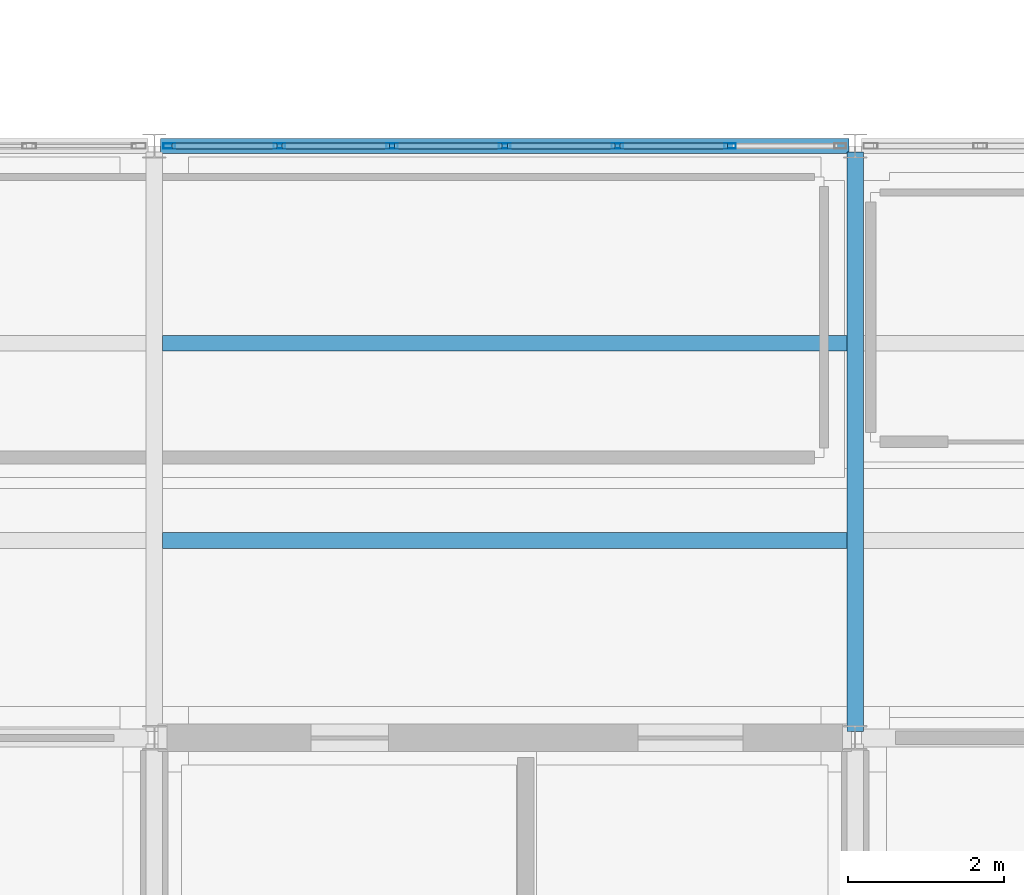
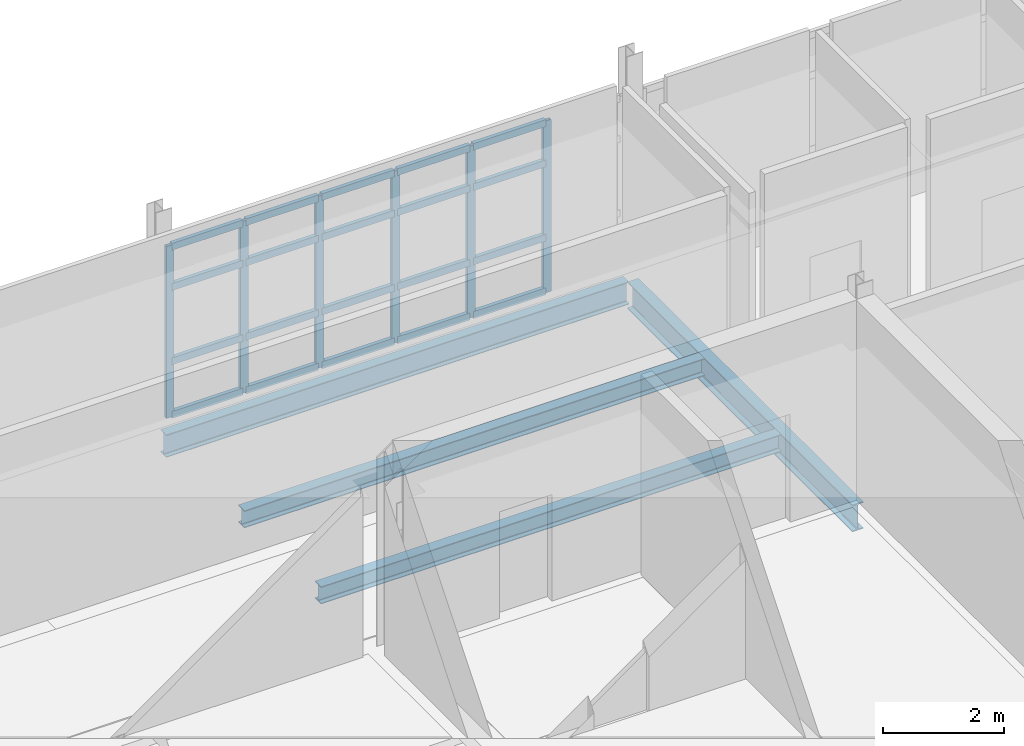
# One storey, part 11 of 48: 26 members, 4 beams, 1 element without a shape of its own.
"""IFC4 building model written with IfcOpenShell, lengths in metres."""

from ifc_helpers import new_model, si_unit, direction, frame, origin, origin_2d, place, context, subcontext, project, spatial, hollow_rectangle, i_section, extrude, material, material_profile, profile_set, type_object, element, aggregate, save


model = new_model("IFC4")

# Units and contexts
model_context = context("Model", 3, precision=1e-05, world=origin(), true_north=direction((0.0, 1.0)))
body_context = subcontext(model_context, "Body", "Model", "MODEL_VIEW")
ifc_project = project(units=[si_unit("LENGTHUNIT", "METRE"), si_unit("AREAUNIT", "SQUARE_METRE"), si_unit("VOLUMEUNIT", "CUBIC_METRE"), si_unit("PLANEANGLEUNIT", "RADIAN"), si_unit("MASSUNIT", "GRAM", prefix="KILO")], contexts=[model_context])

# Site, building, storey
site_placement = place(None, origin())
site = spatial("IfcSite", under=ifc_project, at=site_placement, CompositionType="ELEMENT")
building_placement = place(site_placement, origin())
building = spatial("IfcBuilding", under=site, at=building_placement, Name="Caisbarro Railhouse Central Library", CompositionType="ELEMENT")
storey_placement = place(building_placement, frame((0.0, 0.0, 18.0)))
storey = spatial("IfcBuildingStorey", under=building, at=storey_placement, Name="L04", CompositionType="ELEMENT", Elevation=18.0)

# Beams
ifc_material_1 = material(Name="Steel ASTM A572 Grade 50", Category="steel")
ifc_material_profile_1 = material_profile(ifc_material_1, i_section(OverallWidth=0.2119140625, OverallDepth=0.5439453125, WebThickness=0.01318359375, FlangeThickness=0.021240234375, FilletRadius=0.02001953125, at=origin_2d()), Name="W530X123.0")
ifc_profile_set_1 = profile_set([ifc_material_profile_1], Name="Steel ASTM A572 Grade 50")
beam_type_1 = type_object("IfcBeamType", Name="BM-G05", PredefinedType="BEAM", material=ifc_profile_set_1)
beam_1_placement = place(storey_placement, frame((99.0, 15.280029296875, -0.552001953125), z_axis=(0.0, 1.0, 0.0), x_axis=(-1.0, 0.0, 0.0)))
element("IfcBeam", 1, at=beam_1_placement, inside=storey, type_object=beam_type_1, Name="G05 beam L04 #2049", PredefinedType="BEAM", context=body_context, shape_type="SweptSolid", body=[
    extrude(i_section(OverallWidth=0.2119140625, OverallDepth=0.5439453125, WebThickness=0.01318359375, FlangeThickness=0.021240234375, FilletRadius=0.02001953125, at=origin_2d()), origin(), (0.0, 0.0, 1.0), 7.43994140625),
])
ifc_material_profile_2 = material_profile(ifc_material_1, i_section(OverallWidth=0.202880859375, OverallDepth=0.346923828125, WebThickness=0.0078125, FlangeThickness=0.013427734375, FilletRadius=0.014892578125, at=origin_2d()), Name="W360X64.0")
ifc_profile_set_2 = profile_set([ifc_material_profile_2], Name="Steel ASTM A572 Grade 50")
beam_type_2 = type_object("IfcBeamType", Name="BM-J01", PredefinedType="JOIST", material=ifc_profile_set_2)
for number, where, z_axis, x_axis, name in (
    (2, (90.10595703125, 17.7333984375, -0.45361328125), (1.0, 0.0, 0.0), (0.0, 1.0, 0.0), "J01 beam L04 #2067"),
    (3, (90.10595703125, 20.2666015625, -0.45361328125), (1.0, 0.0, 0.0), (0.0, 1.0, 0.0), "J01 beam L04 #2068"),
):
    element("IfcBeam", number, at=place(storey_placement, frame(where, z_axis=z_axis, x_axis=x_axis)), inside=storey, type_object=beam_type_2, Name=name, PredefinedType="JOIST", context=body_context, shape_type="SweptSolid", body=[
        extrude(i_section(OverallWidth=0.202880859375, OverallDepth=0.346923828125, WebThickness=0.0078125, FlangeThickness=0.013427734375, FilletRadius=0.014892578125, at=origin_2d()), origin(), (0.0, 0.0, 1.0), 8.7880859375),
    ])
ifc_material_profile_3 = material_profile(ifc_material_1, i_section(OverallWidth=0.18994140625, OverallDepth=0.45703125, WebThickness=0.009033203125, FlangeThickness=0.014404296875, FilletRadius=0.01806640625, at=origin_2d()), Name="W460X74.0")
ifc_profile_set_3 = profile_set([ifc_material_profile_3], Name="Steel ASTM A572 Grade 50")
beam_type_3 = type_object("IfcBeamType", Name="BM-SP01", PredefinedType="SPANDREL", material=ifc_profile_set_3)
beam_2_placement = place(storey_placement, frame((90.080078125, 22.800048828125, -0.508544921875), z_axis=(1.0, 0.0, 0.0), x_axis=(0.0, 1.0, 0.0)))
element("IfcBeam", 4, at=beam_2_placement, inside=storey, type_object=beam_type_3, Name="SP01 beam L04 #2033", PredefinedType="SPANDREL", context=body_context, shape_type="SweptSolid", body=[
    extrude(i_section(OverallWidth=0.18994140625, OverallDepth=0.45703125, WebThickness=0.009033203125, FlangeThickness=0.014404296875, FilletRadius=0.01806640625, at=origin_2d()), origin(), (0.0, 0.0, 1.0), 8.83984375),
])

# Curtain wall, members
ifc_material_2 = material(Name="Anodised architectural aluminium", Category="aluminium")
curtain_wall_type = type_object("IfcCurtainWallType", Name="CW-CW02", PredefinedType="NOTDEFINED", material=ifc_material_2)
curtain_wall_placement = place(storey_placement, origin())
curtain_wall = element("IfcCurtainWall", 5, at=curtain_wall_placement, inside=storey, type_object=curtain_wall_type, Name="CW02 curtain wall L04 #69", PredefinedType="NOTDEFINED")
ifc_material_profile_4 = material_profile(ifc_material_2, hollow_rectangle(XDim=0.06494140625, YDim=0.14990234375, WallThickness=0.00390625, at=origin_2d()), Name="ALU-MUL-65X150")
ifc_profile_set_4 = profile_set([ifc_material_profile_4], Name="Anodised architectural aluminium")
member_type_1 = type_object("IfcMemberType", Name="CWM-M02", PredefinedType="MULLION", material=ifc_profile_set_4)
member_1_placement = place(storey_placement, frame((90.1923828125, 22.800048828125, 0.0), z_axis=(0.0, 0.0, 1.0), x_axis=(0.0, 1.0, 0.0)))
member_1 = element("IfcMember", 6, at=member_1_placement, type_object=member_type_1, Name="CW02 mullion 1", PredefinedType="MULLION", context=body_context, shape_type="SweptSolid", body=[
    extrude(hollow_rectangle(XDim=0.06494140625, YDim=0.14990234375, WallThickness=0.00390625, at=origin_2d()), origin(), (0.0, 0.0, 1.0), 3.469970703125),
])
member_2_placement = place(storey_placement, frame((91.606689453125, 22.800048828125, 0.0), z_axis=(0.0, 0.0, 1.0), x_axis=(0.0, 1.0, 0.0)))
member_2 = element("IfcMember", 7, at=member_2_placement, type_object=member_type_1, Name="CW02 mullion 2", PredefinedType="MULLION", context=body_context, shape_type="SweptSolid", body=[
    extrude(hollow_rectangle(XDim=0.06494140625, YDim=0.14990234375, WallThickness=0.00390625, at=origin_2d()), origin(), (0.0, 0.0, 1.0), 3.469970703125),
])
member_3_placement = place(storey_placement, frame((93.05322265625, 22.800048828125, 0.0), z_axis=(0.0, 0.0, 1.0), x_axis=(0.0, 1.0, 0.0)))
member_3 = element("IfcMember", 8, at=member_3_placement, type_object=member_type_1, Name="CW02 mullion 3", PredefinedType="MULLION", context=body_context, shape_type="SweptSolid", body=[
    extrude(hollow_rectangle(XDim=0.06494140625, YDim=0.14990234375, WallThickness=0.00390625, at=origin_2d()), origin(), (0.0, 0.0, 1.0), 3.469970703125),
])
member_4_placement = place(storey_placement, frame((94.5, 22.800048828125, 0.0), z_axis=(0.0, 0.0, 1.0), x_axis=(0.0, 1.0, 0.0)))
member_4 = element("IfcMember", 9, at=member_4_placement, type_object=member_type_1, Name="CW02 mullion 4", PredefinedType="MULLION", context=body_context, shape_type="SweptSolid", body=[
    extrude(hollow_rectangle(XDim=0.06494140625, YDim=0.14990234375, WallThickness=0.00390625, at=origin_2d()), origin(), (0.0, 0.0, 1.0), 3.469970703125),
])
member_5_placement = place(storey_placement, frame((95.94677734375, 22.800048828125, 0.0), z_axis=(0.0, 0.0, 1.0), x_axis=(0.0, 1.0, 0.0)))
member_5 = element("IfcMember", 10, at=member_5_placement, type_object=member_type_1, Name="CW02 mullion 5", PredefinedType="MULLION", context=body_context, shape_type="SweptSolid", body=[
    extrude(hollow_rectangle(XDim=0.06494140625, YDim=0.14990234375, WallThickness=0.00390625, at=origin_2d()), origin(), (0.0, 0.0, 1.0), 3.469970703125),
])
member_6_placement = place(storey_placement, frame((97.393310546875, 22.800048828125, 0.0), z_axis=(0.0, 0.0, 1.0), x_axis=(0.0, 1.0, 0.0)))
member_6 = element("IfcMember", 11, at=member_6_placement, type_object=member_type_1, Name="CW02 mullion 6", PredefinedType="MULLION", context=body_context, shape_type="SweptSolid", body=[
    extrude(hollow_rectangle(XDim=0.06494140625, YDim=0.14990234375, WallThickness=0.00390625, at=origin_2d()), origin(), (0.0, 0.0, 1.0), 3.469970703125),
])
ifc_material_profile_5 = material_profile(ifc_material_2, hollow_rectangle(XDim=0.074951171875, YDim=0.139892578125, WallThickness=0.00390625, at=origin_2d()), Name="ALU-TRN-75X140")
ifc_profile_set_5 = profile_set([ifc_material_profile_5], Name="Anodised architectural aluminium")
member_type_2 = type_object("IfcMemberType", Name="CWT-T01", PredefinedType="USERDEFINED", material=ifc_profile_set_5)
member_7_placement = place(storey_placement, frame((90.22509765625, 22.800048828125, 0.03759765625), z_axis=(1.0, 0.0, 0.0), x_axis=(0.0, 1.0, 0.0)))
member_7 = element("IfcMember", 12, at=member_7_placement, type_object=member_type_2, Name="CW02 transom 1.1", ObjectType="TRANSOM", PredefinedType="USERDEFINED", context=body_context, shape_type="SweptSolid", body=[
    extrude(hollow_rectangle(XDim=0.074951171875, YDim=0.139892578125, WallThickness=0.00390625, at=origin_2d()), origin(), (0.0, 0.0, 1.0), 1.34912109375),
])
member_8_placement = place(storey_placement, frame((90.22509765625, 22.800048828125, 1.1201171875), z_axis=(1.0, 0.0, 0.0), x_axis=(0.0, 1.0, 0.0)))
member_8 = element("IfcMember", 13, at=member_8_placement, type_object=member_type_2, Name="CW02 transom 1.2", ObjectType="TRANSOM", PredefinedType="USERDEFINED", context=body_context, shape_type="SweptSolid", body=[
    extrude(hollow_rectangle(XDim=0.074951171875, YDim=0.139892578125, WallThickness=0.00390625, at=origin_2d()), origin(), (0.0, 0.0, 1.0), 1.34912109375),
])
member_9_placement = place(storey_placement, frame((90.22509765625, 22.800048828125, 2.6201171875), z_axis=(1.0, 0.0, 0.0), x_axis=(0.0, 1.0, 0.0)))
member_9 = element("IfcMember", 14, at=member_9_placement, type_object=member_type_2, Name="CW02 transom 1.3", ObjectType="TRANSOM", PredefinedType="USERDEFINED", context=body_context, shape_type="SweptSolid", body=[
    extrude(hollow_rectangle(XDim=0.074951171875, YDim=0.139892578125, WallThickness=0.00390625, at=origin_2d()), origin(), (0.0, 0.0, 1.0), 1.34912109375),
])
member_10_placement = place(storey_placement, frame((90.22509765625, 22.800048828125, 3.4326171875), z_axis=(1.0, 0.0, 0.0), x_axis=(0.0, 1.0, 0.0)))
member_10 = element("IfcMember", 15, at=member_10_placement, type_object=member_type_2, Name="CW02 transom 1.4", ObjectType="TRANSOM", PredefinedType="USERDEFINED", context=body_context, shape_type="SweptSolid", body=[
    extrude(hollow_rectangle(XDim=0.074951171875, YDim=0.139892578125, WallThickness=0.00390625, at=origin_2d()), origin(), (0.0, 0.0, 1.0), 1.34912109375),
])
member_11_placement = place(storey_placement, frame((91.63916015625, 22.800048828125, 0.03759765625), z_axis=(1.0, 0.0, 0.0), x_axis=(0.0, 1.0, 0.0)))
member_11 = element("IfcMember", 16, at=member_11_placement, type_object=member_type_2, Name="CW02 transom 2.1", ObjectType="TRANSOM", PredefinedType="USERDEFINED", context=body_context, shape_type="SweptSolid", body=[
    extrude(hollow_rectangle(XDim=0.074951171875, YDim=0.139892578125, WallThickness=0.00390625, at=origin_2d()), origin(), (0.0, 0.0, 1.0), 1.381591796875),
])
member_12_placement = place(storey_placement, frame((91.63916015625, 22.800048828125, 1.1201171875), z_axis=(1.0, 0.0, 0.0), x_axis=(0.0, 1.0, 0.0)))
member_12 = element("IfcMember", 17, at=member_12_placement, type_object=member_type_2, Name="CW02 transom 2.2", ObjectType="TRANSOM", PredefinedType="USERDEFINED", context=body_context, shape_type="SweptSolid", body=[
    extrude(hollow_rectangle(XDim=0.074951171875, YDim=0.139892578125, WallThickness=0.00390625, at=origin_2d()), origin(), (0.0, 0.0, 1.0), 1.381591796875),
])
member_13_placement = place(storey_placement, frame((91.63916015625, 22.800048828125, 2.6201171875), z_axis=(1.0, 0.0, 0.0), x_axis=(0.0, 1.0, 0.0)))
member_13 = element("IfcMember", 18, at=member_13_placement, type_object=member_type_2, Name="CW02 transom 2.3", ObjectType="TRANSOM", PredefinedType="USERDEFINED", context=body_context, shape_type="SweptSolid", body=[
    extrude(hollow_rectangle(XDim=0.074951171875, YDim=0.139892578125, WallThickness=0.00390625, at=origin_2d()), origin(), (0.0, 0.0, 1.0), 1.381591796875),
])
member_14_placement = place(storey_placement, frame((91.63916015625, 22.800048828125, 3.4326171875), z_axis=(1.0, 0.0, 0.0), x_axis=(0.0, 1.0, 0.0)))
member_14 = element("IfcMember", 19, at=member_14_placement, type_object=member_type_2, Name="CW02 transom 2.4", ObjectType="TRANSOM", PredefinedType="USERDEFINED", context=body_context, shape_type="SweptSolid", body=[
    extrude(hollow_rectangle(XDim=0.074951171875, YDim=0.139892578125, WallThickness=0.00390625, at=origin_2d()), origin(), (0.0, 0.0, 1.0), 1.381591796875),
])
member_15_placement = place(storey_placement, frame((93.0859375, 22.800048828125, 0.03759765625), z_axis=(1.0, 0.0, 0.0), x_axis=(0.0, 1.0, 0.0)))
member_15 = element("IfcMember", 20, at=member_15_placement, type_object=member_type_2, Name="CW02 transom 3.1", ObjectType="TRANSOM", PredefinedType="USERDEFINED", context=body_context, shape_type="SweptSolid", body=[
    extrude(hollow_rectangle(XDim=0.074951171875, YDim=0.139892578125, WallThickness=0.00390625, at=origin_2d()), origin(), (0.0, 0.0, 1.0), 1.381591796875),
])
member_16_placement = place(storey_placement, frame((93.0859375, 22.800048828125, 1.1201171875), z_axis=(1.0, 0.0, 0.0), x_axis=(0.0, 1.0, 0.0)))
member_16 = element("IfcMember", 21, at=member_16_placement, type_object=member_type_2, Name="CW02 transom 3.2", ObjectType="TRANSOM", PredefinedType="USERDEFINED", context=body_context, shape_type="SweptSolid", body=[
    extrude(hollow_rectangle(XDim=0.074951171875, YDim=0.139892578125, WallThickness=0.00390625, at=origin_2d()), origin(), (0.0, 0.0, 1.0), 1.381591796875),
])
member_17_placement = place(storey_placement, frame((93.0859375, 22.800048828125, 2.6201171875), z_axis=(1.0, 0.0, 0.0), x_axis=(0.0, 1.0, 0.0)))
member_17 = element("IfcMember", 22, at=member_17_placement, type_object=member_type_2, Name="CW02 transom 3.3", ObjectType="TRANSOM", PredefinedType="USERDEFINED", context=body_context, shape_type="SweptSolid", body=[
    extrude(hollow_rectangle(XDim=0.074951171875, YDim=0.139892578125, WallThickness=0.00390625, at=origin_2d()), origin(), (0.0, 0.0, 1.0), 1.381591796875),
])
member_18_placement = place(storey_placement, frame((93.0859375, 22.800048828125, 3.4326171875), z_axis=(1.0, 0.0, 0.0), x_axis=(0.0, 1.0, 0.0)))
member_18 = element("IfcMember", 23, at=member_18_placement, type_object=member_type_2, Name="CW02 transom 3.4", ObjectType="TRANSOM", PredefinedType="USERDEFINED", context=body_context, shape_type="SweptSolid", body=[
    extrude(hollow_rectangle(XDim=0.074951171875, YDim=0.139892578125, WallThickness=0.00390625, at=origin_2d()), origin(), (0.0, 0.0, 1.0), 1.381591796875),
])
member_19_placement = place(storey_placement, frame((94.532470703125, 22.800048828125, 0.03759765625), z_axis=(1.0, 0.0, 0.0), x_axis=(0.0, 1.0, 0.0)))
member_19 = element("IfcMember", 24, at=member_19_placement, type_object=member_type_2, Name="CW02 transom 4.1", ObjectType="TRANSOM", PredefinedType="USERDEFINED", context=body_context, shape_type="SweptSolid", body=[
    extrude(hollow_rectangle(XDim=0.074951171875, YDim=0.139892578125, WallThickness=0.00390625, at=origin_2d()), origin(), (0.0, 0.0, 1.0), 1.381591796875),
])
member_20_placement = place(storey_placement, frame((94.532470703125, 22.800048828125, 1.1201171875), z_axis=(1.0, 0.0, 0.0), x_axis=(0.0, 1.0, 0.0)))
member_20 = element("IfcMember", 25, at=member_20_placement, type_object=member_type_2, Name="CW02 transom 4.2", ObjectType="TRANSOM", PredefinedType="USERDEFINED", context=body_context, shape_type="SweptSolid", body=[
    extrude(hollow_rectangle(XDim=0.074951171875, YDim=0.139892578125, WallThickness=0.00390625, at=origin_2d()), origin(), (0.0, 0.0, 1.0), 1.381591796875),
])
member_21_placement = place(storey_placement, frame((94.532470703125, 22.800048828125, 2.6201171875), z_axis=(1.0, 0.0, 0.0), x_axis=(0.0, 1.0, 0.0)))
member_21 = element("IfcMember", 26, at=member_21_placement, type_object=member_type_2, Name="CW02 transom 4.3", ObjectType="TRANSOM", PredefinedType="USERDEFINED", context=body_context, shape_type="SweptSolid", body=[
    extrude(hollow_rectangle(XDim=0.074951171875, YDim=0.139892578125, WallThickness=0.00390625, at=origin_2d()), origin(), (0.0, 0.0, 1.0), 1.381591796875),
])
member_22_placement = place(storey_placement, frame((94.532470703125, 22.800048828125, 3.4326171875), z_axis=(1.0, 0.0, 0.0), x_axis=(0.0, 1.0, 0.0)))
member_22 = element("IfcMember", 27, at=member_22_placement, type_object=member_type_2, Name="CW02 transom 4.4", ObjectType="TRANSOM", PredefinedType="USERDEFINED", context=body_context, shape_type="SweptSolid", body=[
    extrude(hollow_rectangle(XDim=0.074951171875, YDim=0.139892578125, WallThickness=0.00390625, at=origin_2d()), origin(), (0.0, 0.0, 1.0), 1.381591796875),
])
member_23_placement = place(storey_placement, frame((95.979248046875, 22.800048828125, 0.03759765625), z_axis=(1.0, 0.0, 0.0), x_axis=(0.0, 1.0, 0.0)))
member_23 = element("IfcMember", 28, at=member_23_placement, type_object=member_type_2, Name="CW02 transom 5.1", ObjectType="TRANSOM", PredefinedType="USERDEFINED", context=body_context, shape_type="SweptSolid", body=[
    extrude(hollow_rectangle(XDim=0.074951171875, YDim=0.139892578125, WallThickness=0.00390625, at=origin_2d()), origin(), (0.0, 0.0, 1.0), 1.381591796875),
])
member_24_placement = place(storey_placement, frame((95.979248046875, 22.800048828125, 1.1201171875), z_axis=(1.0, 0.0, 0.0), x_axis=(0.0, 1.0, 0.0)))
member_24 = element("IfcMember", 29, at=member_24_placement, type_object=member_type_2, Name="CW02 transom 5.2", ObjectType="TRANSOM", PredefinedType="USERDEFINED", context=body_context, shape_type="SweptSolid", body=[
    extrude(hollow_rectangle(XDim=0.074951171875, YDim=0.139892578125, WallThickness=0.00390625, at=origin_2d()), origin(), (0.0, 0.0, 1.0), 1.381591796875),
])
member_25_placement = place(storey_placement, frame((95.979248046875, 22.800048828125, 2.6201171875), z_axis=(1.0, 0.0, 0.0), x_axis=(0.0, 1.0, 0.0)))
member_25 = element("IfcMember", 30, at=member_25_placement, type_object=member_type_2, Name="CW02 transom 5.3", ObjectType="TRANSOM", PredefinedType="USERDEFINED", context=body_context, shape_type="SweptSolid", body=[
    extrude(hollow_rectangle(XDim=0.074951171875, YDim=0.139892578125, WallThickness=0.00390625, at=origin_2d()), origin(), (0.0, 0.0, 1.0), 1.381591796875),
])
member_26_placement = place(storey_placement, frame((95.979248046875, 22.800048828125, 3.4326171875), z_axis=(1.0, 0.0, 0.0), x_axis=(0.0, 1.0, 0.0)))
member_26 = element("IfcMember", 31, at=member_26_placement, type_object=member_type_2, Name="CW02 transom 5.4", ObjectType="TRANSOM", PredefinedType="USERDEFINED", context=body_context, shape_type="SweptSolid", body=[
    extrude(hollow_rectangle(XDim=0.074951171875, YDim=0.139892578125, WallThickness=0.00390625, at=origin_2d()), origin(), (0.0, 0.0, 1.0), 1.381591796875),
])
aggregate(curtain_wall, [member_1, member_2, member_3, member_4, member_5, member_6, member_7, member_8, member_9, member_10, member_11, member_12, member_13, member_14, member_15, member_16, member_17, member_18, member_19, member_20, member_21, member_22, member_23, member_24, member_25, member_26])

save(model, "model.ifc")
